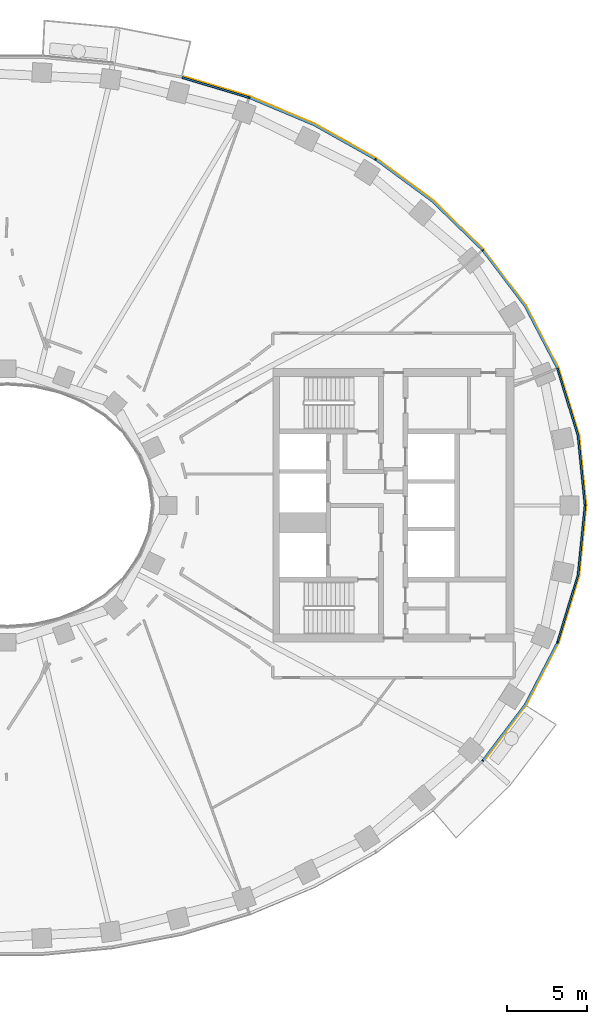
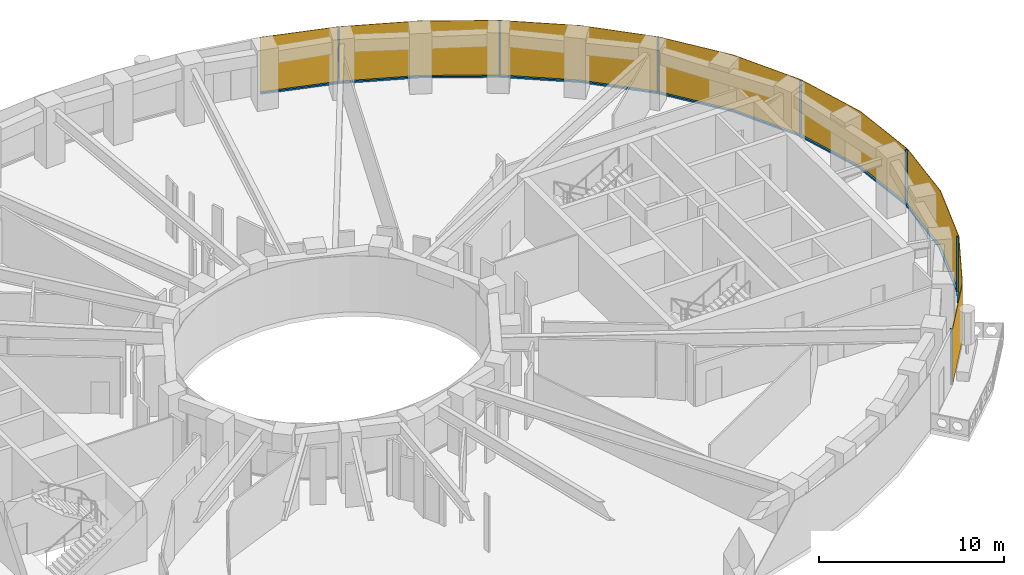
# One storey, part 13 of 16: 14 members, 1 curtain wall.
"""IFC4 building model written with IfcOpenShell, lengths in metres."""

from ifc_helpers import new_model, si_unit, direction, frame, origin, origin_2d, place, context, subcontext, project, spatial, polyline, rectangle, outline, extrude, material, layer, layer_set, material_profile, profile_set, type_object, element, aggregate, save


model = new_model("IFC4")

# Units and contexts
model_context = context("Model", 3, precision=1e-05, world=origin(), true_north=direction((0.0, 1.0)))
body_context = subcontext(model_context, "Body", "Model", "MODEL_VIEW")
ifc_project = project(units=[si_unit("LENGTHUNIT", "METRE"), si_unit("AREAUNIT", "SQUARE_METRE"), si_unit("VOLUMEUNIT", "CUBIC_METRE"), si_unit("PLANEANGLEUNIT", "RADIAN"), si_unit("MASSUNIT", "GRAM", prefix="KILO")], contexts=[model_context])

# Member
ifc_material_1 = material(Name="Aluminium 6063-T6 black anodised", Category="aluminium")
ifc_material_profile = material_profile(ifc_material_1, rectangle(XDim=0.1201171875, YDim=0.06005859375, at=origin_2d()), Name="120x60")
ifc_profile_set = profile_set([ifc_material_profile], Name="Aluminium 6063-T6 black anodised")
member_type_1 = type_object("IfcMemberType", Name="ENV-MULLION-A-120", PredefinedType="MULLION", material=ifc_profile_set)
site_placement = place(None, origin())
building_placement = place(site_placement, origin())
storey_placement = place(building_placement, frame((0.0, 0.0, 154.0)))
member_1_placement = place(storey_placement, frame((29.53857421875, -15.8671875, 0.0), z_axis=(0.0, 0.0, 1.0), x_axis=(-0.749047221705, 0.662516610853, 0.0)))
member_1 = element("IfcMember", 1, at=member_1_placement, type_object=member_type_1, Name="Mullion A radial 43", PredefinedType="MULLION", context=body_context, shape_type="SweptSolid", body=[
    extrude(rectangle(XDim=0.1201171875, YDim=0.06005859375, at=origin_2d()), origin(), (0.0, 0.0, 1.0), 3.699951171875),
])

member_2_placement = place(storey_placement, frame((34.19580078125, -8.513916015625, 0.0), z_axis=(0.0, 0.0, 1.0), x_axis=(-0.92546738067, 0.378827305398, 0.0)))
member_2 = element("IfcMember", 2, at=member_2_placement, type_object=member_type_1, Name="Mullion A radial 45", PredefinedType="MULLION", context=body_context, shape_type="SweptSolid", body=[
    extrude(rectangle(XDim=0.1201171875, YDim=0.06005859375, at=origin_2d()), origin(), (0.0, 0.0, 1.0), 3.699951171875),
])

member_3_placement = place(storey_placement, frame((35.907958984375, 0.0, 0.0), z_axis=(0.0, 0.0, 1.0), x_axis=(-1.0, 0.0, 0.0)))
member_3 = element("IfcMember", 3, at=member_3_placement, type_object=member_type_1, Name="Mullion A radial 01", PredefinedType="MULLION", context=body_context, shape_type="SweptSolid", body=[
    extrude(rectangle(XDim=0.1201171875, YDim=0.06005859375, at=origin_2d()), origin(), (0.0, 0.0, 1.0), 3.699951171875),
])

member_4_placement = place(storey_placement, frame((34.19580078125, 8.513916015625, 0.0), z_axis=(0.0, 0.0, 1.0), x_axis=(-0.92546738067, -0.378827305398, 0.0)))
member_4 = element("IfcMember", 4, at=member_4_placement, type_object=member_type_1, Name="Mullion A radial 03", PredefinedType="MULLION", context=body_context, shape_type="SweptSolid", body=[
    extrude(rectangle(XDim=0.1201171875, YDim=0.06005859375, at=origin_2d()), origin(), (0.0, 0.0, 1.0), 3.699951171875),
])

member_5_placement = place(storey_placement, frame((29.53857421875, 15.8671875, 0.0), z_axis=(0.0, 0.0, 1.0), x_axis=(-0.749047221705, -0.662516610853, 0.0)))
member_5 = element("IfcMember", 5, at=member_5_placement, type_object=member_type_1, Name="Mullion A radial 05", PredefinedType="MULLION", context=body_context, shape_type="SweptSolid", body=[
    extrude(rectangle(XDim=0.1201171875, YDim=0.06005859375, at=origin_2d()), origin(), (0.0, 0.0, 1.0), 3.699951171875),
])

member_6_placement = place(storey_placement, frame((22.882568359375, 21.506591796875, 0.0), z_axis=(0.0, 0.0, 1.0), x_axis=(-0.542279153225, -0.840198381323, 0.0)))
member_6 = element("IfcMember", 6, at=member_6_placement, type_object=member_type_1, Name="Mullion A radial 07", PredefinedType="MULLION", context=body_context, shape_type="SweptSolid", body=[
    extrude(rectangle(XDim=0.1201171875, YDim=0.06005859375, at=origin_2d()), origin(), (0.0, 0.0, 1.0), 3.699951171875),
])

member_7_placement = place(storey_placement, frame((15.0341796875, 25.34375, 0.0), z_axis=(0.0, 0.0, 1.0), x_axis=(-0.338379256581, -0.941009818608, 0.0)))
member_7 = element("IfcMember", 7, at=member_7_placement, type_object=member_type_1, Name="Mullion A radial 09", PredefinedType="MULLION", context=body_context, shape_type="SweptSolid", body=[
    extrude(rectangle(XDim=0.1201171875, YDim=0.06005859375, at=origin_2d()), origin(), (0.0, 0.0, 1.0), 3.699951171875),
])

ifc_material_2 = material(Name="Aluminium 6063-T6 black anodised", Category="aluminium")
member_type_2 = type_object("IfcMemberType", Name="ENV-TRANSOM-A", PredefinedType="USERDEFINED", material=ifc_material_2)
member_8_placement = place(storey_placement, origin())
member_8 = element("IfcMember", 8, at=member_8_placement, type_object=member_type_2, Name="Transom A radial 43-45", ObjectType="TRANSOM", PredefinedType="USERDEFINED", context=body_context, shape_type="SweptSolid", body=[
    extrude(outline(polyline([(29.6005859375, -15.884521484375), (32.22802734375, -12.41748046875), (34.23828125, -8.5615234375), (34.126708984375, -8.515869140625), (32.126220703125, -12.35302734375), (29.51025390625, -15.8046875), (29.6005859375, -15.884521484375)])), origin(), (0.0, 0.0, 1.0), 0.10009765625),
])

member_9_placement = place(storey_placement, origin())
member_9 = element("IfcMember", 9, at=member_9_placement, type_object=member_type_2, Name="Transom A radial 45-01", ObjectType="TRANSOM", PredefinedType="USERDEFINED", context=body_context, shape_type="SweptSolid", body=[
    extrude(outline(polyline([(34.259521484375, -8.509765625), (35.529541015625, -4.352294921875), (35.965087890625, -0.02783203125), (35.844482421875, -0.02783203125), (35.411376953125, -4.32861328125), (34.14794921875, -8.464111328125), (34.259521484375, -8.509765625)])), origin(), (0.0, 0.0, 1.0), 0.10009765625),
])

member_10_placement = place(storey_placement, origin())
member_10 = element("IfcMember", 10, at=member_10_placement, type_object=member_type_2, Name="Transom A radial 01-03", ObjectType="TRANSOM", PredefinedType="USERDEFINED", context=body_context, shape_type="SweptSolid", body=[
    extrude(outline(polyline([(35.965087890625, 0.02783203125), (35.529541015625, 4.352294921875), (34.259521484375, 8.509765625), (34.14794921875, 8.464111328125), (35.411376953125, 4.32861328125), (35.844482421875, 0.02783203125), (35.965087890625, 0.02783203125)])), origin(), (0.0, 0.0, 1.0), 0.10009765625),
])

member_11_placement = place(storey_placement, origin())
member_11 = element("IfcMember", 11, at=member_11_placement, type_object=member_type_2, Name="Transom A radial 03-05", ObjectType="TRANSOM", PredefinedType="USERDEFINED", context=body_context, shape_type="SweptSolid", body=[
    extrude(outline(polyline([(34.23828125, 8.5615234375), (32.22802734375, 12.41748046875), (29.6005859375, 15.884521484375), (29.51025390625, 15.8046875), (32.126220703125, 12.35302734375), (34.126708984375, 8.515869140625), (34.23828125, 8.5615234375)])), origin(), (0.0, 0.0, 1.0), 0.10009765625),
])

member_12_placement = place(storey_placement, origin())
member_12 = element("IfcMember", 12, at=member_12_placement, type_object=member_type_2, Name="Transom A radial 05-07", ObjectType="TRANSOM", PredefinedType="USERDEFINED", context=body_context, shape_type="SweptSolid", body=[
    extrude(outline(polyline([(29.5634765625, 15.926513671875), (26.4423828125, 18.958740234375), (22.937744140625, 21.540283203125), (22.87255859375, 21.439208984375), (26.364501953125, 18.866943359375), (29.473388671875, 15.8466796875), (29.5634765625, 15.926513671875)])), origin(), (0.0, 0.0, 1.0), 0.10009765625),
])

member_13_placement = place(storey_placement, origin())
member_13 = element("IfcMember", 13, at=member_13_placement, type_object=member_type_2, Name="Transom A radial 07-09", ObjectType="TRANSOM", PredefinedType="USERDEFINED", context=body_context, shape_type="SweptSolid", body=[
    extrude(outline(polyline([(22.890625, 21.570556640625), (19.093994140625, 23.701416015625), (15.080322265625, 25.389404296875), (15.03955078125, 25.276123046875), (19.041259765625, 23.593505859375), (22.825439453125, 21.469482421875), (22.890625, 21.570556640625)])), origin(), (0.0, 0.0, 1.0), 0.10009765625),
])

member_14_placement = place(storey_placement, origin())
member_14 = element("IfcMember", 14, at=member_14_placement, type_object=member_type_2, Name="Transom A radial 09-10", ObjectType="TRANSOM", PredefinedType="USERDEFINED", context=body_context, shape_type="SweptSolid", body=[
    extrude(outline(polyline([(15.027587890625, 25.408203125), (10.876708984375, 26.657470703125), (10.847900390625, 26.540771484375), (14.987060546875, 25.295166015625), (15.027587890625, 25.408203125)])), origin(), (0.0, 0.0, 1.0), 0.10009765625),
])

# Site, building, storey
site = spatial("IfcSite", under=ifc_project, at=site_placement, CompositionType="ELEMENT")
building = spatial("IfcBuilding", under=site, at=building_placement, Name="Noorbagh Ring Tower", CompositionType="ELEMENT")
storey = spatial("IfcBuildingStorey", under=building, at=storey_placement, Name="L35", CompositionType="ELEMENT", Elevation=154.0)

# Curtain wall
ifc_material_3 = material(Name="Glass dark tinted laminated", Category="glass")
ifc_layer = layer(ifc_material_3, 0.031982421875)
ifc_layer_set = layer_set([ifc_layer], Name="Glass dark tinted laminated")
curtain_wall_type = type_object("IfcCurtainWallType", Name="ENV-CW-A", PredefinedType="NOTDEFINED", material=ifc_layer_set)
curtain_wall_placement = place(storey_placement, origin())
curtain_wall = element("IfcCurtainWall", 15, at=curtain_wall_placement, inside=storey, type_object=curtain_wall_type, Name="Curtain wall A R43", PredefinedType="NOTDEFINED", context=body_context, shape_type="SweptSolid", body=[
    extrude(outline(polyline([(29.61962890625, -15.912109375), (32.255126953125, -12.434814453125), (34.281005859375, -8.548828125), (35.561279296875, -4.358642578125), (36.0, 0.0), (35.561279296875, 4.358642578125), (34.281005859375, 8.548828125), (32.255126953125, 12.434814453125), (29.607666015625, 15.927978515625), (26.463134765625, 18.9833984375), (22.9326171875, 21.583740234375), (19.108154296875, 23.730224609375), (15.065185546875, 25.430419921875), (10.884521484375, 26.6884765625), (10.876708984375, 26.657470703125), (15.054443359375, 25.400146484375), (19.093994140625, 23.701416015625), (22.9150390625, 21.556884765625), (26.4423828125, 18.958740234375), (29.58349609375, 15.906982421875), (32.22802734375, 12.41748046875), (34.251220703125, 8.53662109375), (35.529541015625, 4.352294921875), (35.9677734375, 0.0), (35.529541015625, -4.352294921875), (34.251220703125, -8.53662109375), (32.22802734375, -12.41748046875), (29.595703125, -15.890869140625), (29.61962890625, -15.912109375)])), origin(), (0.0, 0.0, 1.0), 3.699951171875),
])

aggregate(curtain_wall, [member_1, member_2, member_3, member_4, member_5, member_6, member_7, member_8, member_9, member_10, member_11, member_12, member_13, member_14])

save(model, "model.ifc")
